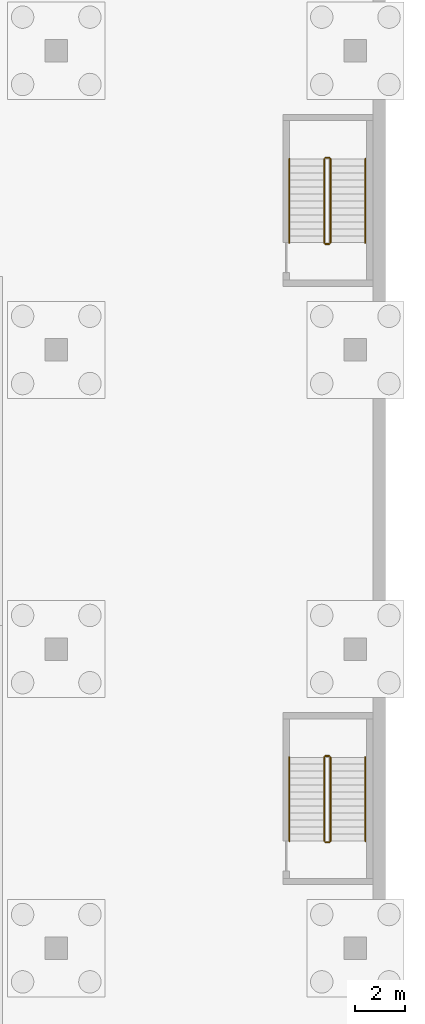
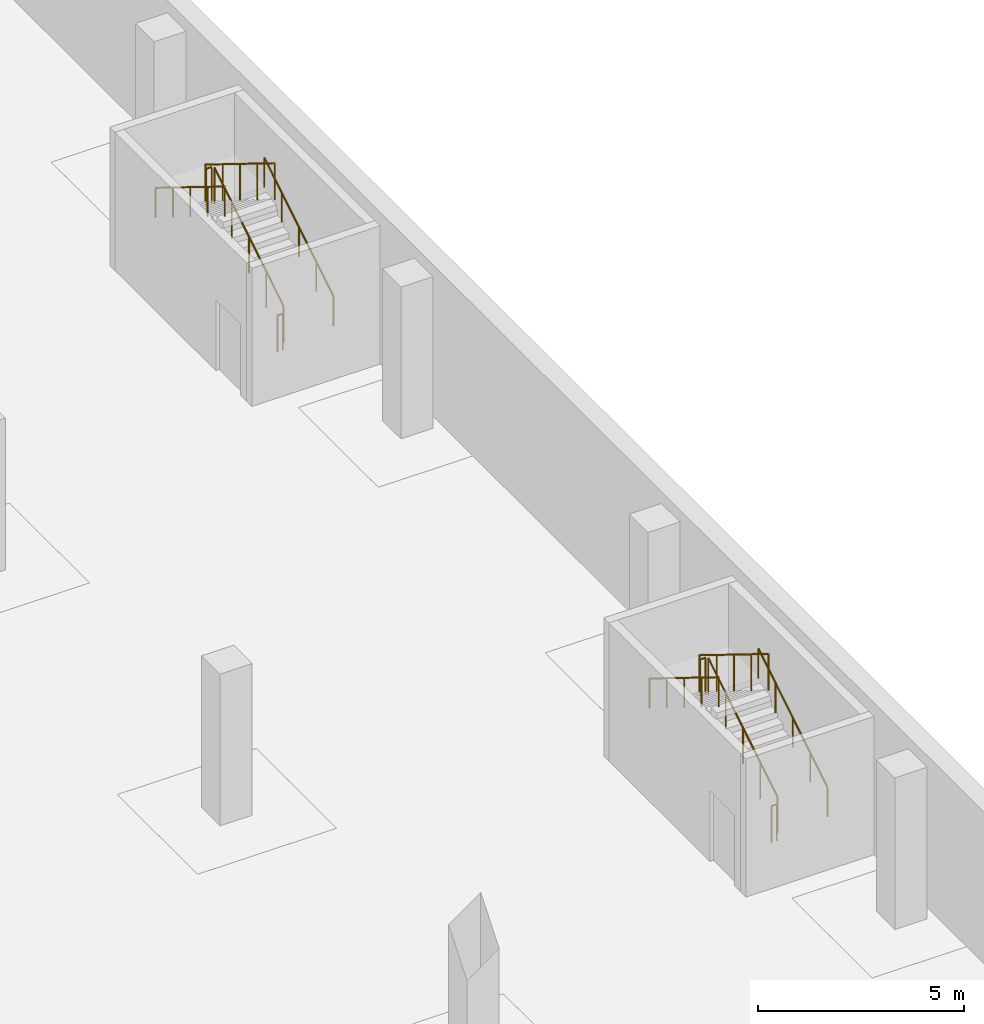
# One storey, part 14 of 15: 12 railings.
"""IFC4 building model written with IfcOpenShell, lengths in metres."""

from ifc_helpers import new_model, si_unit, direction, frame, origin, origin_2d, place, context, subcontext, project, spatial, circle, extrude, material, type_object, element, save


model = new_model("IFC4")

# Units and contexts
model_context = context("Model", 3, precision=1e-05, world=origin(), true_north=direction((0.0, 1.0)))
body_context = subcontext(model_context, "Body", "Model", "MODEL_VIEW")
ifc_project = project(units=[si_unit("LENGTHUNIT", "METRE"), si_unit("AREAUNIT", "SQUARE_METRE"), si_unit("VOLUMEUNIT", "CUBIC_METRE"), si_unit("PLANEANGLEUNIT", "RADIAN"), si_unit("MASSUNIT", "GRAM", prefix="KILO")], contexts=[model_context])

# Site, building, storey
site_placement = place(None, origin())
site = spatial("IfcSite", under=ifc_project, at=site_placement, CompositionType="ELEMENT")
building_placement = place(site_placement, origin())
building = spatial("IfcBuilding", under=site, at=building_placement, Name="Kilnfold Tower and Market Hall", CompositionType="ELEMENT")
storey_placement = place(building_placement, frame((0.0, 0.0, -9.0)))
storey = spatial("IfcBuildingStorey", under=building, at=storey_placement, Name="B2", CompositionType="ELEMENT", Elevation=-9.0)

# Railings
ifc_material_1 = material(Name="Stainless steel 316", Category="steel")
railing_type_1 = type_object("IfcRailingType", Name="CAR PARK STAIR GUARD 1100", PredefinedType="GUARDRAIL", material=ifc_material_1)
railing_1_placement = place(storey_placement, frame((53.64990234375, -14.35009765625, 0.173095703125)))
element("IfcRailing", 1, at=railing_1_placement, inside=storey, type_object=railing_type_1, Name="B2 CS3 stair guard 1", PredefinedType="GUARDRAIL", context=body_context, shape_type="SweptSolid", body=[
    extrude(circle(Radius=0.02392578125, at=origin_2d()), frame((0.0, 0.0, 1.076171875), z_axis=(0.0, 0.850623216509, 0.525775754039), x_axis=(-1.0, 0.0, 0.0)), (0.0, 0.0, 1.0), 3.9501953125),
    extrude(circle(Radius=0.02099609375, at=origin_2d()), origin(), (0.0, 0.0, 1.0), 1.052001953125),
    extrude(circle(Radius=0.02099609375, at=origin_2d()), frame((0.0, 0.840087890625, 0.519287109375)), (0.0, 0.0, 1.0), 1.052001953125),
    extrude(circle(Radius=0.02099609375, at=origin_2d()), frame((0.0, 1.68017578125, 1.03857421875)), (0.0, 0.0, 1.0), 1.052001953125),
    extrude(circle(Radius=0.02099609375, at=origin_2d()), frame((0.0, 2.52001953125, 1.5576171875)), (0.0, 0.0, 1.0), 1.052001953125),
    extrude(circle(Radius=0.02099609375, at=origin_2d()), frame((0.0, 3.360107421875, 2.076904296875)), (0.0, 0.0, 1.0), 1.052001953125),
])
railing_2_placement = place(storey_placement, frame((53.60009765625, -10.93994140625, 2.25)))
element("IfcRailing", 2, at=railing_2_placement, inside=storey, type_object=railing_type_1, Name="B2 CS3 stair guard 2", PredefinedType="GUARDRAIL", context=body_context, shape_type="SweptSolid", body=[
    extrude(circle(Radius=0.02392578125, at=origin_2d()), frame((0.0, 0.0, 1.076171875), z_axis=(-1.0, 0.0, 0.0), x_axis=(0.0, -1.0, 0.0)), (0.0, 0.0, 1.0), 0.150146484375),
    extrude(circle(Radius=0.02099609375, at=origin_2d()), origin(), (0.0, 0.0, 1.0), 1.052001953125),
    extrude(circle(Radius=0.02099609375, at=origin_2d()), frame((-0.150146484375, 0.0, 0.0)), (0.0, 0.0, 1.0), 1.052001953125),
])
railing_3_placement = place(storey_placement, frame((53.39990234375, -10.989990234375, 2.423095703125)))
element("IfcRailing", 3, at=railing_3_placement, inside=storey, type_object=railing_type_1, Name="B2 CS3 stair guard 3", PredefinedType="GUARDRAIL", context=body_context, shape_type="SweptSolid", body=[
    extrude(circle(Radius=0.02392578125, at=origin_2d()), frame((0.0, 0.0, 1.076171875), z_axis=(0.0, -0.850623216509, 0.525775754039), x_axis=(1.0, 0.0, 0.0)), (0.0, 0.0, 1.0), 3.9501953125),
    extrude(circle(Radius=0.02099609375, at=origin_2d()), origin(), (0.0, 0.0, 1.0), 1.052001953125),
    extrude(circle(Radius=0.02099609375, at=origin_2d()), frame((0.0, -0.840087890625, 0.519287109375)), (0.0, 0.0, 1.0), 1.052001953125),
    extrude(circle(Radius=0.02099609375, at=origin_2d()), frame((0.0, -1.68017578125, 1.03857421875)), (0.0, 0.0, 1.0), 1.052001953125),
    extrude(circle(Radius=0.02099609375, at=origin_2d()), frame((0.0, -2.52001953125, 1.5576171875)), (0.0, 0.0, 1.0), 1.052001953125),
    extrude(circle(Radius=0.02099609375, at=origin_2d()), frame((0.0, -3.360107421875, 2.076904296875)), (0.0, 0.0, 1.0), 1.052001953125),
])
railing_4_placement = place(storey_placement, frame((53.60009765625, -14.39990234375, 0.0)))
element("IfcRailing", 4, at=railing_4_placement, inside=storey, type_object=railing_type_1, Name="B2 CS3 stair guard 4", PredefinedType="GUARDRAIL", context=body_context, shape_type="SweptSolid", body=[
    extrude(circle(Radius=0.02392578125, at=origin_2d()), frame((0.0, 0.0, 1.076171875), z_axis=(-1.0, 0.0, 0.0), x_axis=(0.0, -1.0, 0.0)), (0.0, 0.0, 1.0), 0.150146484375),
    extrude(circle(Radius=0.02099609375, at=origin_2d()), origin(), (0.0, 0.0, 1.0), 1.052001953125),
    extrude(circle(Radius=0.02099609375, at=origin_2d()), frame((-0.150146484375, 0.0, 0.0)), (0.0, 0.0, 1.0), 1.052001953125),
])
railing_5_placement = place(storey_placement, frame((53.64990234375, 9.64990234375, 0.173095703125)))
element("IfcRailing", 5, at=railing_5_placement, inside=storey, type_object=railing_type_1, Name="B2 CS4 stair guard 1", PredefinedType="GUARDRAIL", context=body_context, shape_type="SweptSolid", body=[
    extrude(circle(Radius=0.02392578125, at=origin_2d()), frame((0.0, 0.0, 1.076171875), z_axis=(0.0, 0.850623216509, 0.525775754039), x_axis=(-1.0, 0.0, 0.0)), (0.0, 0.0, 1.0), 3.9501953125),
    extrude(circle(Radius=0.02099609375, at=origin_2d()), origin(), (0.0, 0.0, 1.0), 1.052001953125),
    extrude(circle(Radius=0.02099609375, at=origin_2d()), frame((0.0, 0.840087890625, 0.519287109375)), (0.0, 0.0, 1.0), 1.052001953125),
    extrude(circle(Radius=0.02099609375, at=origin_2d()), frame((0.0, 1.68017578125, 1.03857421875)), (0.0, 0.0, 1.0), 1.052001953125),
    extrude(circle(Radius=0.02099609375, at=origin_2d()), frame((0.0, 2.52001953125, 1.5576171875)), (0.0, 0.0, 1.0), 1.052001953125),
    extrude(circle(Radius=0.02099609375, at=origin_2d()), frame((0.0, 3.360107421875, 2.076904296875)), (0.0, 0.0, 1.0), 1.052001953125),
])
railing_6_placement = place(storey_placement, frame((53.60009765625, 13.06005859375, 2.25)))
element("IfcRailing", 6, at=railing_6_placement, inside=storey, type_object=railing_type_1, Name="B2 CS4 stair guard 2", PredefinedType="GUARDRAIL", context=body_context, shape_type="SweptSolid", body=[
    extrude(circle(Radius=0.02392578125, at=origin_2d()), frame((0.0, 0.0, 1.076171875), z_axis=(-1.0, 0.0, 0.0), x_axis=(0.0, -1.0, 0.0)), (0.0, 0.0, 1.0), 0.150146484375),
    extrude(circle(Radius=0.02099609375, at=origin_2d()), origin(), (0.0, 0.0, 1.0), 1.052001953125),
    extrude(circle(Radius=0.02099609375, at=origin_2d()), frame((-0.150146484375, 0.0, 0.0)), (0.0, 0.0, 1.0), 1.052001953125),
])
railing_7_placement = place(storey_placement, frame((53.39990234375, 13.010009765625, 2.423095703125)))
element("IfcRailing", 7, at=railing_7_placement, inside=storey, type_object=railing_type_1, Name="B2 CS4 stair guard 3", PredefinedType="GUARDRAIL", context=body_context, shape_type="SweptSolid", body=[
    extrude(circle(Radius=0.02392578125, at=origin_2d()), frame((0.0, 0.0, 1.076171875), z_axis=(0.0, -0.850623216509, 0.525775754039), x_axis=(1.0, 0.0, 0.0)), (0.0, 0.0, 1.0), 3.9501953125),
    extrude(circle(Radius=0.02099609375, at=origin_2d()), origin(), (0.0, 0.0, 1.0), 1.052001953125),
    extrude(circle(Radius=0.02099609375, at=origin_2d()), frame((0.0, -0.840087890625, 0.519287109375)), (0.0, 0.0, 1.0), 1.052001953125),
    extrude(circle(Radius=0.02099609375, at=origin_2d()), frame((0.0, -1.68017578125, 1.03857421875)), (0.0, 0.0, 1.0), 1.052001953125),
    extrude(circle(Radius=0.02099609375, at=origin_2d()), frame((0.0, -2.52001953125, 1.5576171875)), (0.0, 0.0, 1.0), 1.052001953125),
    extrude(circle(Radius=0.02099609375, at=origin_2d()), frame((0.0, -3.360107421875, 2.076904296875)), (0.0, 0.0, 1.0), 1.052001953125),
])
railing_8_placement = place(storey_placement, frame((53.60009765625, 9.60009765625, 0.0)))
element("IfcRailing", 8, at=railing_8_placement, inside=storey, type_object=railing_type_1, Name="B2 CS4 stair guard 4", PredefinedType="GUARDRAIL", context=body_context, shape_type="SweptSolid", body=[
    extrude(circle(Radius=0.02392578125, at=origin_2d()), frame((0.0, 0.0, 1.076171875), z_axis=(-1.0, 0.0, 0.0), x_axis=(0.0, -1.0, 0.0)), (0.0, 0.0, 1.0), 0.150146484375),
    extrude(circle(Radius=0.02099609375, at=origin_2d()), origin(), (0.0, 0.0, 1.0), 1.052001953125),
    extrude(circle(Radius=0.02099609375, at=origin_2d()), frame((-0.150146484375, 0.0, 0.0)), (0.0, 0.0, 1.0), 1.052001953125),
])
ifc_material_2 = material(Name="Stainless steel 316", Category="steel")
railing_type_2 = type_object("IfcRailingType", Name="CAR PARK STAIR HANDRAIL 900", PredefinedType="HANDRAIL", material=ifc_material_2)
railing_9_placement = place(storey_placement, frame((55.050048828125, -14.35009765625, 0.173095703125)))
element("IfcRailing", 9, at=railing_9_placement, inside=storey, type_object=railing_type_2, Name="B2 CS3 stair handrail 1", PredefinedType="HANDRAIL", context=body_context, shape_type="SweptSolid", body=[
    extrude(circle(Radius=0.02392578125, at=origin_2d()), frame((0.0, 0.0, 0.8759765625), z_axis=(0.0, 0.850623216509, 0.525775754039), x_axis=(-1.0, 0.0, 0.0)), (0.0, 0.0, 1.0), 3.9501953125),
    extrude(circle(Radius=0.02099609375, at=origin_2d()), origin(), (0.0, 0.0, 1.0), 0.851806640625),
    extrude(circle(Radius=0.02099609375, at=origin_2d()), frame((0.0, 0.840087890625, 0.519287109375)), (0.0, 0.0, 1.0), 0.851806640625),
    extrude(circle(Radius=0.02099609375, at=origin_2d()), frame((0.0, 1.68017578125, 1.03857421875)), (0.0, 0.0, 1.0), 0.851806640625),
    extrude(circle(Radius=0.02099609375, at=origin_2d()), frame((0.0, 2.52001953125, 1.5576171875)), (0.0, 0.0, 1.0), 0.851806640625),
    extrude(circle(Radius=0.02099609375, at=origin_2d()), frame((0.0, 3.360107421875, 2.076904296875)), (0.0, 0.0, 1.0), 0.851806640625),
])
railing_10_placement = place(storey_placement, frame((52.0, -10.989990234375, 2.423095703125)))
element("IfcRailing", 10, at=railing_10_placement, inside=storey, type_object=railing_type_2, Name="B2 CS3 stair handrail 2", PredefinedType="HANDRAIL", context=body_context, shape_type="SweptSolid", body=[
    extrude(circle(Radius=0.02392578125, at=origin_2d()), frame((0.0, 0.0, 0.8759765625), z_axis=(0.0, -0.850623216509, 0.525775754039), x_axis=(1.0, 0.0, 0.0)), (0.0, 0.0, 1.0), 3.9501953125),
    extrude(circle(Radius=0.02099609375, at=origin_2d()), origin(), (0.0, 0.0, 1.0), 0.851806640625),
    extrude(circle(Radius=0.02099609375, at=origin_2d()), frame((0.0, -0.840087890625, 0.519287109375)), (0.0, 0.0, 1.0), 0.851806640625),
    extrude(circle(Radius=0.02099609375, at=origin_2d()), frame((0.0, -1.68017578125, 1.03857421875)), (0.0, 0.0, 1.0), 0.851806640625),
    extrude(circle(Radius=0.02099609375, at=origin_2d()), frame((0.0, -2.52001953125, 1.5576171875)), (0.0, 0.0, 1.0), 0.851806640625),
    extrude(circle(Radius=0.02099609375, at=origin_2d()), frame((0.0, -3.360107421875, 2.076904296875)), (0.0, 0.0, 1.0), 0.851806640625),
])
railing_11_placement = place(storey_placement, frame((55.050048828125, 9.64990234375, 0.173095703125)))
element("IfcRailing", 11, at=railing_11_placement, inside=storey, type_object=railing_type_2, Name="B2 CS4 stair handrail 1", PredefinedType="HANDRAIL", context=body_context, shape_type="SweptSolid", body=[
    extrude(circle(Radius=0.02392578125, at=origin_2d()), frame((0.0, 0.0, 0.8759765625), z_axis=(0.0, 0.850623216509, 0.525775754039), x_axis=(-1.0, 0.0, 0.0)), (0.0, 0.0, 1.0), 3.9501953125),
    extrude(circle(Radius=0.02099609375, at=origin_2d()), origin(), (0.0, 0.0, 1.0), 0.851806640625),
    extrude(circle(Radius=0.02099609375, at=origin_2d()), frame((0.0, 0.840087890625, 0.519287109375)), (0.0, 0.0, 1.0), 0.851806640625),
    extrude(circle(Radius=0.02099609375, at=origin_2d()), frame((0.0, 1.68017578125, 1.03857421875)), (0.0, 0.0, 1.0), 0.851806640625),
    extrude(circle(Radius=0.02099609375, at=origin_2d()), frame((0.0, 2.52001953125, 1.5576171875)), (0.0, 0.0, 1.0), 0.851806640625),
    extrude(circle(Radius=0.02099609375, at=origin_2d()), frame((0.0, 3.360107421875, 2.076904296875)), (0.0, 0.0, 1.0), 0.851806640625),
])
railing_12_placement = place(storey_placement, frame((52.0, 13.010009765625, 2.423095703125)))
element("IfcRailing", 12, at=railing_12_placement, inside=storey, type_object=railing_type_2, Name="B2 CS4 stair handrail 2", PredefinedType="HANDRAIL", context=body_context, shape_type="SweptSolid", body=[
    extrude(circle(Radius=0.02392578125, at=origin_2d()), frame((0.0, 0.0, 0.8759765625), z_axis=(0.0, -0.850623216509, 0.525775754039), x_axis=(1.0, 0.0, 0.0)), (0.0, 0.0, 1.0), 3.9501953125),
    extrude(circle(Radius=0.02099609375, at=origin_2d()), origin(), (0.0, 0.0, 1.0), 0.851806640625),
    extrude(circle(Radius=0.02099609375, at=origin_2d()), frame((0.0, -0.840087890625, 0.519287109375)), (0.0, 0.0, 1.0), 0.851806640625),
    extrude(circle(Radius=0.02099609375, at=origin_2d()), frame((0.0, -1.68017578125, 1.03857421875)), (0.0, 0.0, 1.0), 0.851806640625),
    extrude(circle(Radius=0.02099609375, at=origin_2d()), frame((0.0, -2.52001953125, 1.5576171875)), (0.0, 0.0, 1.0), 0.851806640625),
    extrude(circle(Radius=0.02099609375, at=origin_2d()), frame((0.0, -3.360107421875, 2.076904296875)), (0.0, 0.0, 1.0), 0.851806640625),
])

save(model, "model.ifc")
